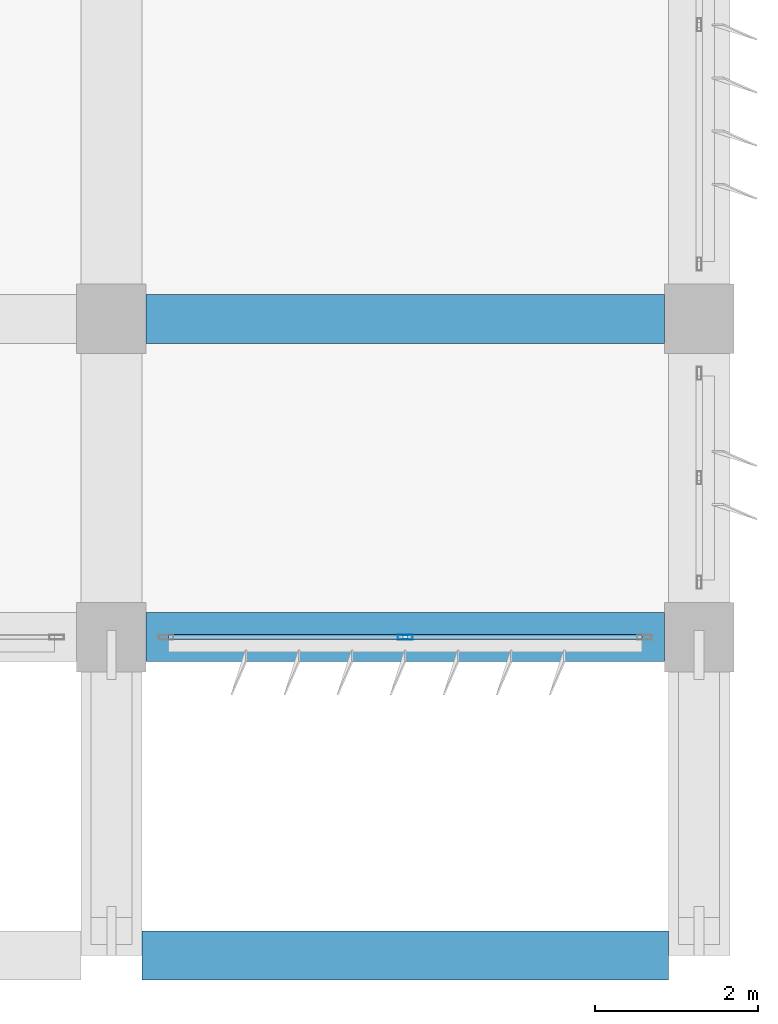
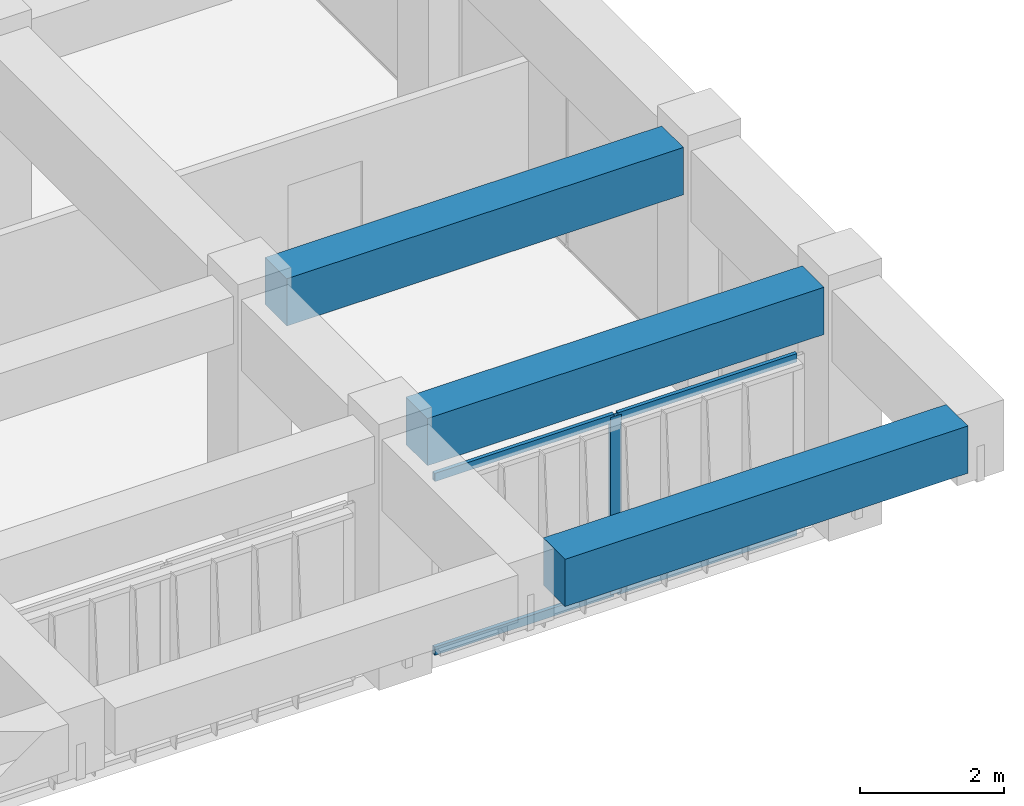
# One storey, part 20 of 56: 5 members, 3 beams, 1 element without a shape of its own.
"""IFC4 building model written with IfcOpenShell, lengths in metres."""

from ifc_helpers import new_model, si_unit, direction, frame, origin, origin_2d, place, context, subcontext, project, spatial, rectangle, hollow_rectangle, extrude, material, material_profile, profile_set, type_object, element, aggregate, save


model = new_model("IFC4")

# Units and contexts
model_context = context("Model", 3, precision=1e-05, world=origin(), true_north=direction((0.0, 1.0)))
body_context = subcontext(model_context, "Body", "Model", "MODEL_VIEW")
ifc_project = project(units=[si_unit("LENGTHUNIT", "METRE"), si_unit("AREAUNIT", "SQUARE_METRE"), si_unit("VOLUMEUNIT", "CUBIC_METRE"), si_unit("PLANEANGLEUNIT", "RADIAN"), si_unit("MASSUNIT", "GRAM", prefix="KILO")], contexts=[model_context])

# Site, building, storey
site_placement = place(None, origin())
site = spatial("IfcSite", under=ifc_project, at=site_placement, CompositionType="ELEMENT")
building_placement = place(site_placement, origin())
building = spatial("IfcBuilding", under=site, at=building_placement, Name="Kazehaya Institute of Natural Sciences", CompositionType="ELEMENT")
storey_placement = place(building_placement, frame((0.0, 0.0, 24.300048828125)))
storey = spatial("IfcBuildingStorey", under=building, at=storey_placement, Name="L05", CompositionType="ELEMENT", Elevation=24.300048828125)

# Beams
ifc_material_1 = material(Name="Concrete Fc36", Category="concrete")
ifc_material_profile_1 = material_profile(ifc_material_1, rectangle(XDim=0.60009765625, YDim=0.800048828125, at=origin_2d()), Name="RC-600x800")
ifc_profile_set_1 = profile_set([ifc_material_profile_1], Name="Concrete Fc36")
beam_type = type_object("IfcBeamType", Name="BM-G-600x800", PredefinedType="BEAM", material=ifc_profile_set_1)
beam_placement = place(storey_placement, frame((112.574951171875, 6.199951171875, 3.829833984375), z_axis=(1.0, 0.0, 0.0), x_axis=(0.0, 1.0, 0.0)))
element("IfcBeam", 1, at=beam_placement, inside=storey, type_object=beam_type, Name="L05 primary X girder BMX-L05-1122-62", PredefinedType="BEAM", context=body_context, shape_type="SweptSolid", body=[
    extrude(rectangle(XDim=0.60009765625, YDim=0.800048828125, at=origin_2d()), origin(), (0.0, 0.0, 1.0), 6.449951171875),
])
for number, where, z_axis, x_axis, name in (
    (2, (112.625, 10.10009765625, 3.829833984375), (1.0, 0.0, 0.0), (0.0, 1.0, 0.0), "L05 primary X girder BMX-L05-1122-101"),
    (3, (112.625, 14.0, 3.829833984375), (1.0, 0.0, 0.0), (0.0, 1.0, 0.0), "L05 primary X girder BMX-L05-1122-140"),
):
    element("IfcBeam", number, at=place(storey_placement, frame(where, z_axis=z_axis, x_axis=x_axis)), inside=storey, type_object=beam_type, Name=name, PredefinedType="BEAM", context=body_context, shape_type="SweptSolid", body=[
        extrude(rectangle(XDim=0.60009765625, YDim=0.800048828125, at=origin_2d()), origin(), (0.0, 0.0, 1.0), 6.35009765625),
    ])

# Curtain wall, members
ifc_material_2 = material(Name="Aluminium alloy A6063S-T5", Category="aluminium")
curtain_wall_type = type_object("IfcCurtainWallType", Name="CW-SYS-04", PredefinedType="NOTDEFINED", material=ifc_material_2)
curtain_wall_placement = place(storey_placement, origin())
curtain_wall = element("IfcCurtainWall", 4, at=curtain_wall_placement, inside=storey, type_object=curtain_wall_type, Name="L05 unitised curtain wall CW-L05-094", PredefinedType="NOTDEFINED")
ifc_material_profile_2 = material_profile(ifc_material_2, hollow_rectangle(XDim=0.06005859375, YDim=0.179931640625, WallThickness=0.00390625, at=origin_2d()), Name="ALU-60x180x4")
ifc_profile_set_2 = profile_set([ifc_material_profile_2], Name="Aluminium alloy A6063S-T5")
member_type_1 = type_object("IfcMemberType", Name="CWM-180", PredefinedType="MULLION", material=ifc_profile_set_2)
member_1_placement = place(storey_placement, frame((115.800048828125, 10.10009765625, 0.0), z_axis=(0.0, 0.0, 1.0), x_axis=(0.0, -1.0, 0.0)))
member_1 = element("IfcMember", 5, at=member_1_placement, type_object=member_type_1, Name="CW04 mullion 2", PredefinedType="MULLION", context=body_context, shape_type="SweptSolid", body=[
    extrude(hollow_rectangle(XDim=0.06005859375, YDim=0.179931640625, WallThickness=0.00390625, at=origin_2d()), origin(), (0.0, 0.0, 1.0), 3.0),
])
ifc_material_profile_3 = material_profile(ifc_material_2, hollow_rectangle(XDim=0.06005859375, YDim=0.139892578125, WallThickness=0.00341796875, at=origin_2d()), Name="ALU-60x140x3.5")
ifc_profile_set_3 = profile_set([ifc_material_profile_3], Name="Aluminium alloy A6063S-T5")
member_type_2 = type_object("IfcMemberType", Name="CWT-140", PredefinedType="USERDEFINED", material=ifc_profile_set_3)
member_2_placement = place(storey_placement, frame((118.699951171875, 10.10009765625, 0.030029296875), z_axis=(-1.0, 0.0, 0.0), x_axis=(0.0, -1.0, 0.0)))
member_2 = element("IfcMember", 6, at=member_2_placement, type_object=member_type_2, Name="CW04 transom 1.1", ObjectType="TRANSOM", PredefinedType="USERDEFINED", context=body_context, shape_type="SweptSolid", body=[
    extrude(hollow_rectangle(XDim=0.06005859375, YDim=0.139892578125, WallThickness=0.00341796875, at=origin_2d()), origin(), (0.0, 0.0, 1.0), 2.869873046875),
])
member_3_placement = place(storey_placement, frame((118.699951171875, 10.10009765625, 2.969970703125), z_axis=(-1.0, 0.0, 0.0), x_axis=(0.0, -1.0, 0.0)))
member_3 = element("IfcMember", 7, at=member_3_placement, type_object=member_type_2, Name="CW04 transom 1.2", ObjectType="TRANSOM", PredefinedType="USERDEFINED", context=body_context, shape_type="SweptSolid", body=[
    extrude(hollow_rectangle(XDim=0.06005859375, YDim=0.139892578125, WallThickness=0.00341796875, at=origin_2d()), origin(), (0.0, 0.0, 1.0), 2.869873046875),
])
member_4_placement = place(storey_placement, frame((115.77001953125, 10.10009765625, 0.030029296875), z_axis=(-1.0, 0.0, 0.0), x_axis=(0.0, -1.0, 0.0)))
member_4 = element("IfcMember", 8, at=member_4_placement, type_object=member_type_2, Name="CW04 transom 2.1", ObjectType="TRANSOM", PredefinedType="USERDEFINED", context=body_context, shape_type="SweptSolid", body=[
    extrude(hollow_rectangle(XDim=0.06005859375, YDim=0.139892578125, WallThickness=0.00341796875, at=origin_2d()), origin(), (0.0, 0.0, 1.0), 2.8701171875),
])
member_5_placement = place(storey_placement, frame((115.77001953125, 10.10009765625, 2.969970703125), z_axis=(-1.0, 0.0, 0.0), x_axis=(0.0, -1.0, 0.0)))
member_5 = element("IfcMember", 9, at=member_5_placement, type_object=member_type_2, Name="CW04 transom 2.2", ObjectType="TRANSOM", PredefinedType="USERDEFINED", context=body_context, shape_type="SweptSolid", body=[
    extrude(hollow_rectangle(XDim=0.06005859375, YDim=0.139892578125, WallThickness=0.00341796875, at=origin_2d()), origin(), (0.0, 0.0, 1.0), 2.8701171875),
])
aggregate(curtain_wall, [member_1, member_2, member_3, member_4, member_5])

save(model, "model.ifc")
